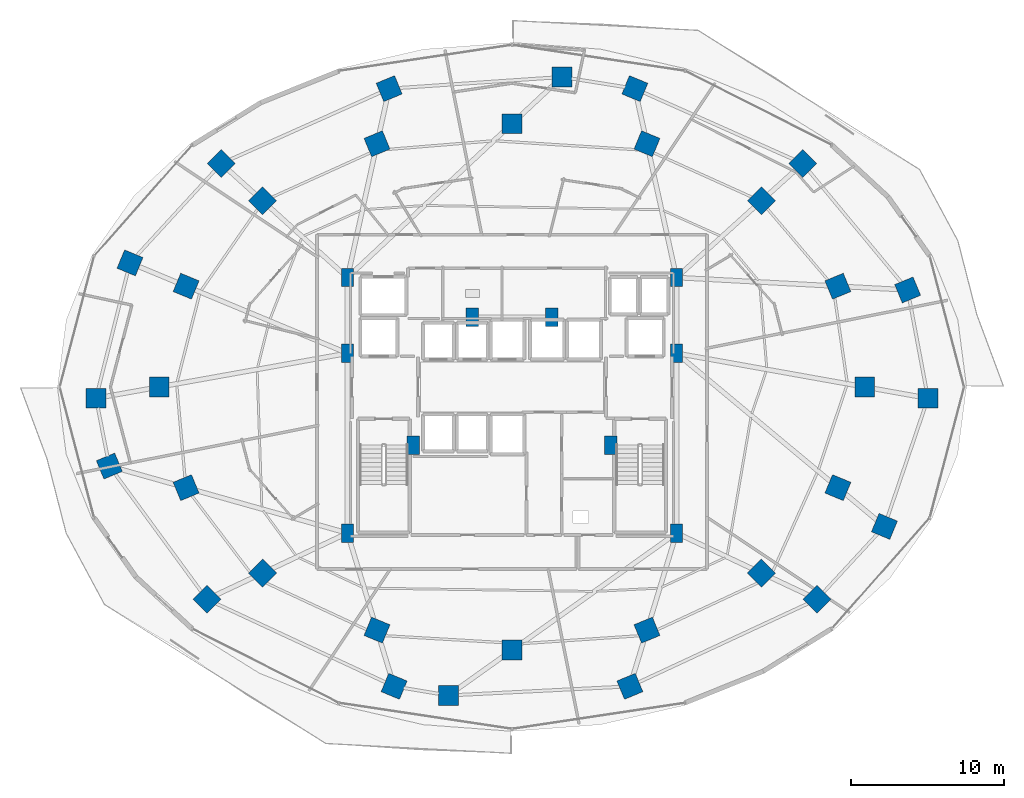
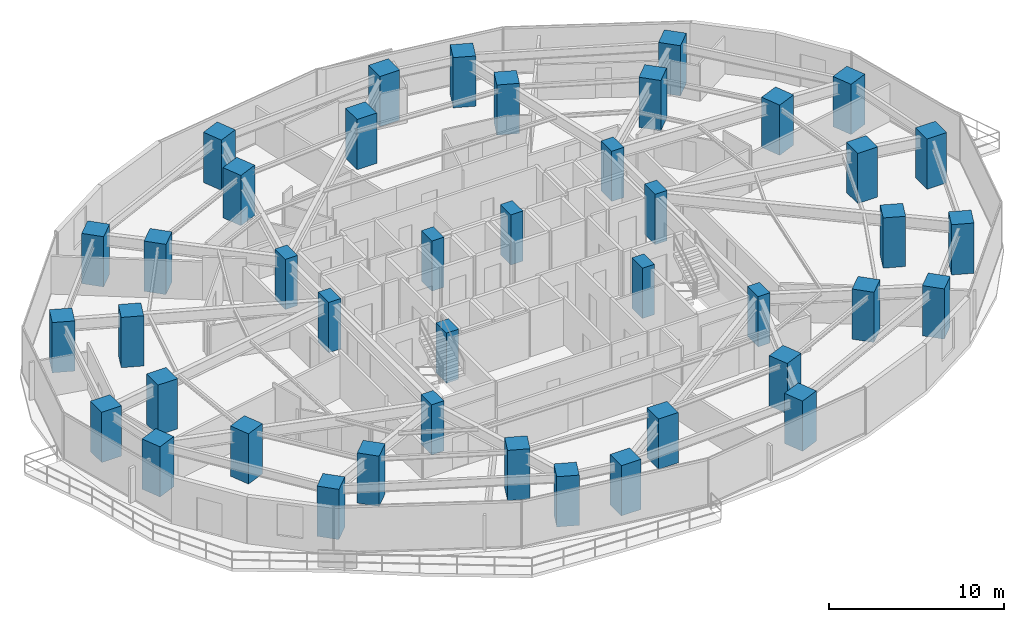
# One storey, part 1 of 33: 42 columns.
"""IFC4 building model written with IfcOpenShell, lengths in metres."""

from ifc_helpers import new_model, si_unit, direction, frame, origin, origin_2d, place, context, subcontext, project, spatial, rectangle, extrude, material, material_profile, profile_set, type_object, element, save


model = new_model("IFC4")

# Units and contexts
model_context = context("Model", 3, precision=1e-05, world=origin(), true_north=direction((0.0, 1.0)))
body_context = subcontext(model_context, "Body", "Model", "MODEL_VIEW")
ifc_project = project(units=[si_unit("LENGTHUNIT", "METRE"), si_unit("AREAUNIT", "SQUARE_METRE"), si_unit("VOLUMEUNIT", "CUBIC_METRE"), si_unit("PLANEANGLEUNIT", "RADIAN"), si_unit("MASSUNIT", "GRAM", prefix="KILO")], contexts=[model_context])

# Site, building, storey
site_placement = place(None, origin())
site = spatial("IfcSite", under=ifc_project, at=site_placement, CompositionType="ELEMENT")
building_placement = place(site_placement, origin())
building = spatial("IfcBuilding", under=site, at=building_placement, Name="Vorneva Point Tower", CompositionType="ELEMENT")
storey_placement = place(building_placement, frame((0.0, 0.0, 38.0)))
storey = spatial("IfcBuildingStorey", under=building, at=storey_placement, Name="L09", CompositionType="ELEMENT", Elevation=38.0)

# Columns
ifc_material = material(Name="Concrete B60 (C50/60)", Category="concrete")
ifc_material_profile_1 = material_profile(ifc_material, rectangle(XDim=1.300048828125, YDim=1.300048828125, at=origin_2d()), Name="RC-COL 1300x1300")
ifc_profile_set_1 = profile_set([ifc_material_profile_1], Name="Concrete B60 (C50/60)")
column_type_1 = type_object("IfcColumnType", Name="COL-RC1300", PredefinedType="COLUMN", material=ifc_profile_set_1)
for number, where, z_axis, x_axis, name in (
    (1, (61.050048828125, 26.0, 0.0), (0.0, 0.0, 1.0), (1.0, 0.0, 0.0), "L09 Perimeter Column P01"),
    (2, (59.29541015625, 32.582275390625, 0.0), (0.0, 0.0, 1.0), (0.923879532511, 0.382683432365, 0.0), "L09 Perimeter Column P02"),
    (3, (54.298828125, 38.162109375, 0.0), (0.0, 0.0, 1.0), (0.707106781187, 0.707106781187, 0.0), "L09 Perimeter Column P03"),
    (4, (46.82080078125, 41.890625, 0.0), (0.0, 0.0, 1.0), (0.382683432365, 0.923879532511, 0.0), "L09 Perimeter Column P04"),
    (5, (38.0, 43.199951171875, 0.0), (0.0, 0.0, 1.0), (0.0, 1.0, 0.0), "L09 Perimeter Column P05"),
    (6, (29.17919921875, 41.890625, 0.0), (0.0, 0.0, 1.0), (-0.382683432365, 0.923879532511, 0.0), "L09 Perimeter Column P06"),
    (7, (21.701171875, 38.162109375, 0.0), (0.0, 0.0, 1.0), (-0.707106781187, 0.707106781187, 0.0), "L09 Perimeter Column P07"),
    (8, (16.70458984375, 32.582275390625, 0.0), (0.0, 0.0, 1.0), (-0.923879532511, 0.382683432365, 0.0), "L09 Perimeter Column P08"),
    (9, (14.949951171875, 26.0, 0.0), (0.0, 0.0, 1.0), (-1.0, 0.0, 0.0), "L09 Perimeter Column P09"),
    (10, (16.70458984375, 19.417724609375, 0.0), (0.0, 0.0, 1.0), (-0.923879532511, -0.382683432365, 0.0), "L09 Perimeter Column P10"),
    (11, (21.701171875, 13.837890625, 0.0), (0.0, 0.0, 1.0), (-0.707106781187, -0.707106781187, 0.0), "L09 Perimeter Column P11"),
    (12, (29.17919921875, 10.109375, 0.0), (0.0, 0.0, 1.0), (-0.382683432365, -0.923879532511, 0.0), "L09 Perimeter Column P12"),
    (13, (38.0, 8.800048828125, 0.0), (0.0, 0.0, 1.0), (0.0, -1.0, 0.0), "L09 Perimeter Column P13"),
    (14, (46.82080078125, 10.109375, 0.0), (0.0, 0.0, 1.0), (0.382683432365, -0.923879532511, 0.0), "L09 Perimeter Column P14"),
    (15, (54.298828125, 13.837890625, 0.0), (0.0, 0.0, 1.0), (0.707106781187, -0.707106781187, 0.0), "L09 Perimeter Column P15"),
    (16, (59.29541015625, 19.417724609375, 0.0), (0.0, 0.0, 1.0), (0.923879532511, -0.382683432365, 0.0), "L09 Perimeter Column P16"),
    (17, (65.18212890625, 25.260986328125, 0.0), (0.0, 0.0, 1.0), (1.0, 0.0, 0.0), "L09 Outer Zone Column OP01"),
    (18, (63.8544921875, 32.336669921875, 0.0), (0.0, 0.0, 1.0), (0.923879532511, 0.382683432365, 0.0), "L09 Outer Zone Column OP02"),
    (19, (56.997314453125, 40.599853515625, 0.0), (0.0, 0.0, 1.0), (0.707106781187, 0.707106781187, 0.0), "L09 Outer Zone Column OP03"),
    (20, (46.026123046875, 45.49169921875, 0.0), (0.0, 0.0, 1.0), (0.382683432365, 0.923879532511, 0.0), "L09 Outer Zone Column OP04"),
    (21, (41.26513671875, 46.25244140625, 0.0), (0.0, 0.0, 1.0), (0.0, 1.0, 0.0), "L09 Outer Zone Column OP05"),
    (22, (29.973876953125, 45.49169921875, 0.0), (0.0, 0.0, 1.0), (-0.382683432365, 0.923879532511, 0.0), "L09 Outer Zone Column OP06"),
    (23, (19.002685546875, 40.599853515625, 0.0), (0.0, 0.0, 1.0), (-0.707106781187, 0.707106781187, 0.0), "L09 Outer Zone Column OP07"),
    (24, (13.0390625, 34.10546875, 0.0), (0.0, 0.0, 1.0), (-0.923879532511, 0.382683432365, 0.0), "L09 Outer Zone Column OP08"),
    (25, (10.81787109375, 25.260986328125, 0.0), (0.0, 0.0, 1.0), (-1.0, 0.0, 0.0), "L09 Outer Zone Column OP09"),
    (26, (11.68798828125, 20.82958984375, 0.0), (0.0, 0.0, 1.0), (-0.923879532511, -0.382683432365, 0.0), "L09 Outer Zone Column OP10"),
    (27, (18.061279296875, 12.124267578125, 0.0), (0.0, 0.0, 1.0), (-0.707106781187, -0.707106781187, 0.0), "L09 Outer Zone Column OP11"),
    (28, (30.296875, 6.435302734375, 0.0), (0.0, 0.0, 1.0), (-0.382683432365, -0.923879532511, 0.0), "L09 Outer Zone Column OP12"),
    (29, (33.84033203125, 5.83984375, 0.0), (0.0, 0.0, 1.0), (0.0, -1.0, 0.0), "L09 Outer Zone Column OP13"),
    (30, (45.703125, 6.435302734375, 0.0), (0.0, 0.0, 1.0), (0.382683432365, -0.923879532511, 0.0), "L09 Outer Zone Column OP14"),
    (31, (57.938720703125, 12.124267578125, 0.0), (0.0, 0.0, 1.0), (0.707106781187, -0.707106781187, 0.0), "L09 Outer Zone Column OP15"),
    (32, (62.3349609375, 16.886474609375, 0.0), (0.0, 0.0, 1.0), (0.923879532511, -0.382683432365, 0.0), "L09 Outer Zone Column OP16"),
):
    element("IfcColumn", number, at=place(storey_placement, frame(where, z_axis=z_axis, x_axis=x_axis)), inside=storey, type_object=column_type_1, Name=name, PredefinedType="COLUMN", context=body_context, shape_type="SweptSolid", body=[
        extrude(rectangle(XDim=1.300048828125, YDim=1.300048828125, at=origin_2d()), origin(), (0.0, 0.0, 1.0), 3.5),
    ])
ifc_material_profile_2 = material_profile(ifc_material, rectangle(XDim=0.800048828125, YDim=1.199951171875, at=origin_2d()), Name="RC-PIL 1200x800")
ifc_profile_set_2 = profile_set([ifc_material_profile_2], Name="Concrete B60 (C50/60)")
column_type_2 = type_object("IfcColumnType", Name="PIL-RC1200x800", PredefinedType="PILASTER", material=ifc_profile_set_2)
for number, where, z_axis, x_axis, name in (
    (33, (27.25, 16.449951171875, 0.0), (0.0, 0.0, 1.0), (1.0, 0.0, 0.0), "L09 Core Pilaster CP1"),
    (34, (27.25, 28.199951171875, 0.0), (0.0, 0.0, 1.0), (1.0, 0.0, 0.0), "L09 Core Pilaster CP2"),
    (35, (27.25, 33.14990234375, 0.0), (0.0, 0.0, 1.0), (1.0, 0.0, 0.0), "L09 Core Pilaster CP3"),
    (36, (31.550048828125, 22.199951171875, 0.0), (0.0, 0.0, 1.0), (1.0, 0.0, 0.0), "L09 Core Pilaster CP4"),
    (37, (48.75, 33.14990234375, 0.0), (0.0, 0.0, 1.0), (1.0, 0.0, 0.0), "L09 Core Pilaster CP5"),
    (38, (48.75, 28.199951171875, 0.0), (0.0, 0.0, 1.0), (1.0, 0.0, 0.0), "L09 Core Pilaster CP6"),
    (39, (48.75, 16.449951171875, 0.0), (0.0, 0.0, 1.0), (1.0, 0.0, 0.0), "L09 Core Pilaster CP7"),
    (40, (44.449951171875, 22.199951171875, 0.0), (0.0, 0.0, 1.0), (1.0, 0.0, 0.0), "L09 Core Pilaster CP8"),
    (41, (35.39990234375, 30.550048828125, 0.0), (0.0, 0.0, 1.0), (1.0, 0.0, 0.0), "L09 Core Pilaster CP9"),
    (42, (40.60009765625, 30.550048828125, 0.0), (0.0, 0.0, 1.0), (1.0, 0.0, 0.0), "L09 Core Pilaster CP10"),
):
    element("IfcColumn", number, at=place(storey_placement, frame(where, z_axis=z_axis, x_axis=x_axis)), inside=storey, type_object=column_type_2, Name=name, PredefinedType="PILASTER", context=body_context, shape_type="SweptSolid", body=[
        extrude(rectangle(XDim=0.800048828125, YDim=1.199951171875, at=origin_2d()), origin(), (0.0, 0.0, 1.0), 3.5),
    ])

save(model, "model.ifc")
